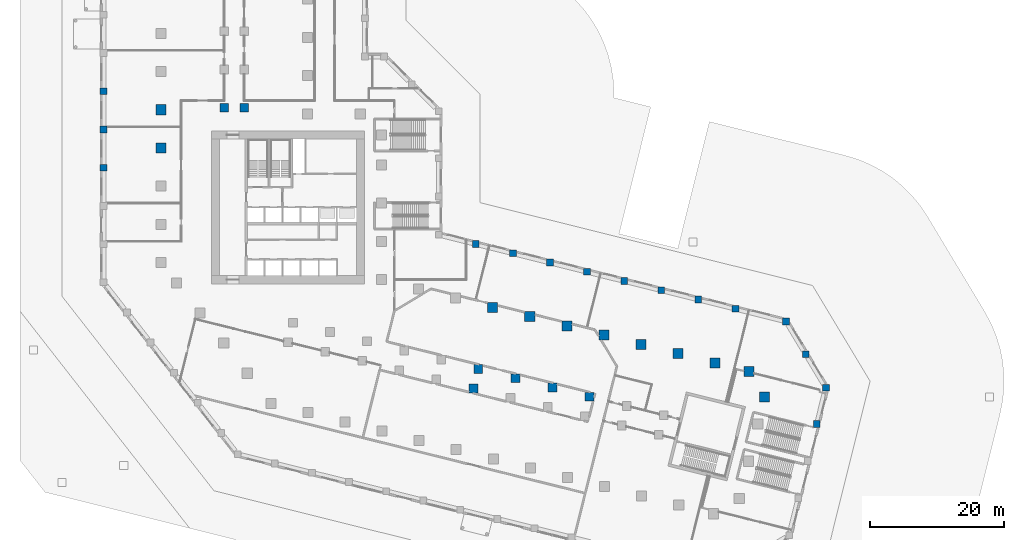
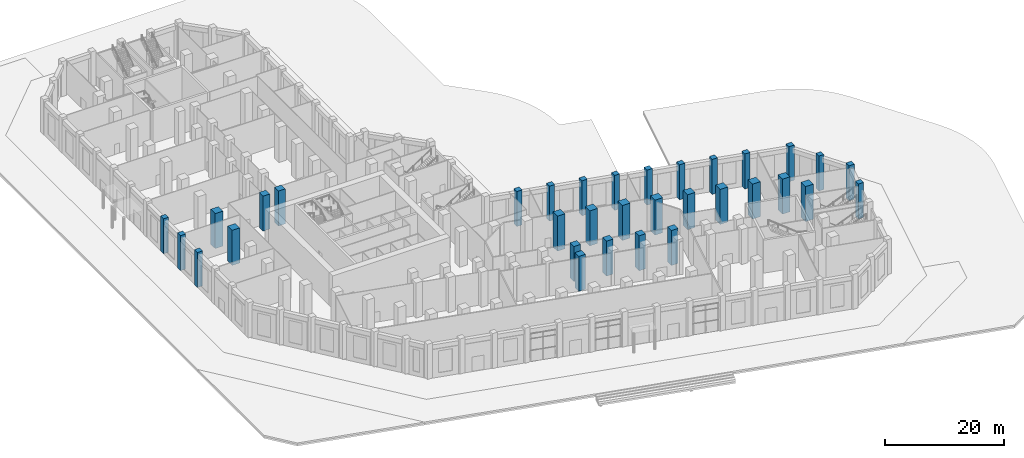
# One storey, part 3 of 27: 33 columns.
"""IFC4 building model written with IfcOpenShell, lengths in metres."""

import ifcopenshell
import ifcopenshell.guid

model = None  # the IFC model being written
_history = None  # IfcOwnerHistory: only IFC2X3 demands one
_inside = {}  # id of a spatial element -> (the spatial element, [elements in it])
_under = {}  # id of a project, library or spatial element -> (it, [spatial elements below it])
_declared = {}  # id of a project -> (the project, [libraries it declares])
_typed = {}  # id of a type object -> (the type object, [elements of that type])
_made_of = {}  # id of a material, layer set ... -> (it, [elements and type objects made of it])


def new_model(schema):
    """Start an empty IFC model of exactly this schema.

    Asked for "IFC4X3", IfcOpenShell would pick the latest addendum, in which some entities
    have other attributes; the version numbers below select the first issue.
    IFC2X3 requires an IfcOwnerHistory on every rooted entity: one is made here for all.
    """
    global model, _history
    if schema == "IFC4X3":
        model = ifcopenshell.file(schema_version=(4, 3, 0, 0))
    else:
        model = ifcopenshell.file(schema=schema)
    _inside.clear()
    _under.clear()
    _declared.clear()
    _typed.clear()
    _made_of.clear()
    _history = None
    if model.schema == "IFC2X3":
        org = make("IfcOrganization", Name="unknown")
        user = make(
            "IfcPersonAndOrganization",
            ThePerson=make("IfcPerson", FamilyName="unknown"),
            TheOrganization=org,
        )
        app = make(
            "IfcApplication",
            ApplicationDeveloper=org,
            Version="unknown",
            ApplicationFullName="unknown",
            ApplicationIdentifier="unknown",
        )
        _history = make(
            "IfcOwnerHistory",
            OwningUser=user,
            OwningApplication=app,
            ChangeAction="ADDED",
            CreationDate=0,
        )
    return model


def make(cls, **values):
    """One entity of the class cls with the attributes given. An attribute that is None is left unset."""
    return model.create_entity(
        cls, **{name: value for name, value in values.items() if value is not None}
    )


def rooted(cls, **values):
    """An entity with a GlobalId (a new one), such as an element, a storey or a relation."""
    return make(cls, GlobalId=ifcopenshell.guid.new(), OwnerHistory=_history, **values)


def si_unit(unit_type, name, prefix=None):
    """IfcSIUnit, for example si_unit("LENGTHUNIT", "METRE", prefix="MILLI")."""
    return make("IfcSIUnit", UnitType=unit_type, Prefix=prefix, Name=name)


def assignment(units):
    """IfcUnitAssignment: the units of a project."""
    return None if units is None else make("IfcUnitAssignment", Units=units)


def point(xyz):
    """IfcCartesianPoint."""
    return None if xyz is None else make("IfcCartesianPoint", Coordinates=xyz)


def direction(xyz):
    """IfcDirection."""
    return None if xyz is None else make("IfcDirection", DirectionRatios=xyz)


def frame(location, z_axis=None, x_axis=None):
    """IfcAxis2Placement3D, a coordinate frame: its origin and axes. An axis left out is left unset."""
    return make(
        "IfcAxis2Placement3D",
        Location=point(location),
        Axis=direction(z_axis),
        RefDirection=direction(x_axis),
    )


def frame_2d(location, x_axis=None):
    """IfcAxis2Placement2D, a coordinate frame in the plane: its origin and x axis."""
    return make(
        "IfcAxis2Placement2D", Location=point(location), RefDirection=direction(x_axis)
    )


def origin():
    """The frame at (0, 0, 0) with its axes left unset."""
    return frame((0.0, 0.0, 0.0))


def origin_2d():
    """The frame at (0, 0) in the plane with its x axis left unset."""
    return frame_2d((0.0, 0.0))


def place(relative_to, where):
    """IfcLocalPlacement: puts the frame where relative to a parent placement (None: the world)."""
    return make(
        "IfcLocalPlacement", PlacementRelTo=relative_to, RelativePlacement=where
    )


def context(
    kind, dimensions, precision=None, world=None, true_north=None, identifier=None
):
    """IfcGeometricRepresentationContext, for example the 3D "Model" context."""
    return make(
        "IfcGeometricRepresentationContext",
        ContextIdentifier=identifier,
        ContextType=kind,
        CoordinateSpaceDimension=dimensions,
        Precision=precision,
        WorldCoordinateSystem=world,
        TrueNorth=true_north,
    )


def subcontext(parent, identifier, kind, view, scale=None):
    """IfcGeometricRepresentationSubContext, for example "Body" below "Model"."""
    return make(
        "IfcGeometricRepresentationSubContext",
        ContextIdentifier=identifier,
        ContextType=kind,
        ParentContext=parent,
        TargetScale=scale,
        TargetView=view,
    )


def project(units=None, contexts=None):
    """IfcProject with its units and contexts."""
    return rooted(
        "IfcProject",
        Name="project",
        RepresentationContexts=contexts,
        UnitsInContext=assignment(units),
    )


def spatial(cls, under=None, at=None, **own):
    """A site, building, storey or space (cls), placed at a placement, below another one or the project."""
    s = rooted(cls, ObjectPlacement=at, **own)
    if under is not None:
        _under.setdefault(under.id(), (under, []))[1].append(s)
    return s


def profile(cls, at=None, kind="AREA", **sizes):
    """A parametric profile (cls). Its sizes go by their IFC names, for example OverallWidth=200.0."""
    return make(cls, ProfileType=kind, Position=at, **sizes)


def rectangle(**sizes):
    """IfcRectangleProfileDef."""
    return profile("IfcRectangleProfileDef", **sizes)


def extrude(swept, where, along, depth):
    """IfcExtrudedAreaSolid: the profile swept, set in the frame where, extruded along a direction by depth."""
    return make(
        "IfcExtrudedAreaSolid",
        SweptArea=swept,
        Position=where,
        ExtrudedDirection=direction(along),
        Depth=depth,
    )


def shape(context_of_items, identifier, shape_type, items):
    """IfcShapeRepresentation: the items that make up one representation, for example the "Body"."""
    return make(
        "IfcShapeRepresentation",
        ContextOfItems=context_of_items,
        RepresentationIdentifier=identifier,
        RepresentationType=shape_type,
        Items=items,
    )


def material(Name=None, Category=None):
    """IfcMaterial."""
    return make("IfcMaterial", Name=Name, Category=Category)


def material_profile(
    of_material, cross_section, Name=None, Category=None, Priority=None
):
    """IfcMaterialProfile: a cross section and its material."""
    return make(
        "IfcMaterialProfile",
        Name=Name,
        Material=of_material,
        Profile=cross_section,
        Priority=Priority,
        Category=Category,
    )


def profile_set(profiles, Name=None, composite=None):
    """IfcMaterialProfileSet."""
    return make(
        "IfcMaterialProfileSet",
        Name=Name,
        MaterialProfiles=profiles,
        CompositeProfile=composite,
    )


def made_of(thing, what):
    """Note that an element or type object is made of a material, layer set ...; save() writes the relation."""
    if what is not None:
        _made_of.setdefault(what.id(), (what, []))[1].append(thing)
    return thing


def type_object(cls, material=None, **own):
    """A type object (cls), such as IfcWallType, which elements share."""
    return made_of(rooted(cls, **own), material)


def element(
    cls,
    number,
    at=None,
    inside=None,
    cuts=None,
    type_object=None,
    material=None,
    context=None,
    identifier="Body",
    shape_type=None,
    held_by="IfcProductDefinitionShape",
    body=None,
    shapes=None,
    **own,
):
    """One element of the class cls, such as IfcWall. Its Tag is "e" and its number.

    at: its placement. inside: the storey or other place that contains it. cuts: it is an
    opening in that element (IfcRelVoidsElement). A single representation is given by context,
    identifier, shape_type and body (its items); several are given by shapes. held_by: the class
    of the entity that holds the representations. save() writes the other relations.
    """
    e = rooted(cls, Tag="e%d" % number, ObjectPlacement=at, **own)
    if body is not None:
        shapes = [shape(context, identifier, shape_type, body)]
    if shapes is not None:
        e.Representation = make(held_by, Representations=shapes)
    if inside is not None:
        _inside.setdefault(inside.id(), (inside, []))[1].append(e)
    if cuts is not None:
        rooted(
            "IfcRelVoidsElement", RelatingBuildingElement=cuts, RelatedOpeningElement=e
        )
    if type_object is not None:
        _typed.setdefault(type_object.id(), (type_object, []))[1].append(e)
    return made_of(e, material)


def aggregate(whole, parts):
    """IfcRelAggregates: a whole, such as a stair, and the parts it consists of."""
    return rooted("IfcRelAggregates", RelatingObject=whole, RelatedObjects=parts)


def save(model, path):
    """Write the relations noted so far, then the file.

    IfcRelAggregates (storeys below a building ...), IfcRelContainedInSpatialStructure (elements
    in a storey), IfcRelDefinesByType, IfcRelAssociatesMaterial and IfcRelDeclares: one each for
    every whole, place, type object, material and project.
    """
    for whole, parts in _under.values():
        aggregate(whole, parts)
    for where, things in _inside.values():
        rooted(
            "IfcRelContainedInSpatialStructure",
            RelatedElements=things,
            RelatingStructure=where,
        )
    for kind, things in _typed.values():
        rooted("IfcRelDefinesByType", RelatedObjects=things, RelatingType=kind)
    for what, things in _made_of.values():
        rooted("IfcRelAssociatesMaterial", RelatedObjects=things, RelatingMaterial=what)
    for by, libraries in _declared.values():
        rooted("IfcRelDeclares", RelatingContext=by, RelatedDefinitions=libraries)
    model.write(path)


model = new_model("IFC4")

# Units and contexts
model_context = context("Model", 3, precision=1e-05, world=origin(), true_north=direction((0.0, 1.0)))
body_context = subcontext(model_context, "Body", "Model", "MODEL_VIEW")
ifc_project = project(units=[si_unit("LENGTHUNIT", "METRE"), si_unit("AREAUNIT", "SQUARE_METRE"), si_unit("VOLUMEUNIT", "CUBIC_METRE"), si_unit("PLANEANGLEUNIT", "RADIAN"), si_unit("MASSUNIT", "GRAM", prefix="KILO")], contexts=[model_context])

# Site, building, storey
site_placement = place(None, origin())
site = spatial("IfcSite", under=ifc_project, at=site_placement, CompositionType="ELEMENT")
building_placement = place(site_placement, origin())
building = spatial("IfcBuilding", under=site, at=building_placement, Name="Meshkara Civic Tower", CompositionType="ELEMENT")
storey_placement = place(building_placement, origin())
storey = spatial("IfcBuildingStorey", under=building, at=storey_placement, Name="L00", CompositionType="ELEMENT", Elevation=0.0)

# Columns
ifc_material_1 = material(Name="Concrete C80", Category="concrete")
ifc_material_profile_1 = material_profile(ifc_material_1, rectangle(XDim=1.300048828125, YDim=1.300048828125, at=origin_2d()))
ifc_profile_set_1 = profile_set([ifc_material_profile_1], Name="Concrete C80")
column_type_1 = type_object("IfcColumnType", Name="Interior column RC 1300x1300 C80", PredefinedType="COLUMN", material=ifc_profile_set_1)
for number, where, z_axis, x_axis, name in (
    (1, (9.89990234375, 40.35009765625, 0.0), (0.0, 0.0, 1.0), (1.0, 0.0, 0.0), "Column SA1-04 L00"),
    (2, (12.89990234375, 40.35009765625, 0.0), (0.0, 0.0, 1.0), (1.0, 0.0, 0.0), "Column SA2-04 L00"),
    (3, (47.076904296875, -1.534912109375, 0.0), (0.0, 0.0, 1.0), (1.0, 0.0, 0.0), "Column SB1-05 L00"),
    (4, (47.802978515625, 1.3759765625, 0.0), (0.0, 0.0, 1.0), (1.0, 0.0, 0.0), "Column SB2-05 L00"),
    (5, (53.333984375, -0.0029296875, 0.0), (0.0, 0.0, 1.0), (1.0, 0.0, 0.0), "Column SB2-06 L00"),
    (6, (58.864013671875, -1.382080078125, 0.0), (0.0, 0.0, 1.0), (1.0, 0.0, 0.0), "Column SB2-07 L00"),
    (7, (64.39501953125, -2.760986328125, 0.0), (0.0, 0.0, 1.0), (1.0, 0.0, 0.0), "Column SB2-08 L00"),
):
    element("IfcColumn", number, at=place(storey_placement, frame(where, z_axis=z_axis, x_axis=x_axis)), inside=storey, type_object=column_type_1, Name=name, PredefinedType="COLUMN", context=body_context, shape_type="SweptSolid", body=[
        extrude(rectangle(XDim=1.300048828125, YDim=1.300048828125, at=origin_2d()), origin(), (0.0, 0.0, 1.0), 7.199951171875),
    ])
ifc_material_2 = material(Name="Concrete C80", Category="concrete")
ifc_material_profile_2 = material_profile(ifc_material_2, rectangle(XDim=1.5, YDim=1.5, at=origin_2d()))
ifc_profile_set_2 = profile_set([ifc_material_profile_2], Name="Concrete C80")
column_type_2 = type_object("IfcColumnType", Name="Perimeter column RC 1500x1500 C80", PredefinedType="COLUMN", material=ifc_profile_set_2)
for number, where, z_axis, x_axis, name in (
    (8, (0.449951171875, 34.35498046875, 0.0), (0.0, 0.0, 1.0), (1.0, 0.0, 0.0), "Column AW03 L00"),
    (9, (0.449951171875, 40.054931640625, 0.0), (0.0, 0.0, 1.0), (1.0, 0.0, 0.0), "Column AW04 L00"),
    (10, (90.485107421875, -2.779052734375, 0.0), (0.0, 0.0, 1.0), (1.0, 0.0, 0.0), "Column BTE L00"),
    (11, (88.18603515625, 1.0458984375, 0.0), (0.0, 0.0, 1.0), (1.0, 0.0, 0.0), "Column BTi00 L00"),
    (12, (49.94189453125, 10.58203125, 0.0), (0.0, 0.0, 1.0), (1.0, 0.0, 0.0), "Column BN03 L00"),
    (13, (55.472900390625, 9.202880859375, 0.0), (0.0, 0.0, 1.0), (1.0, 0.0, 0.0), "Column BN04 L00"),
    (14, (61.0029296875, 7.823974609375, 0.0), (0.0, 0.0, 1.0), (1.0, 0.0, 0.0), "Column BN05 L00"),
    (15, (66.533935546875, 6.445068359375, 0.0), (0.0, 0.0, 1.0), (1.0, 0.0, 0.0), "Column BN06 L00"),
    (16, (72.06494140625, 5.06591796875, 0.0), (0.0, 0.0, 1.0), (1.0, 0.0, 0.0), "Column BN07 L00"),
    (17, (77.594970703125, 3.68701171875, 0.0), (0.0, 0.0, 1.0), (1.0, 0.0, 0.0), "Column BN08 L00"),
    (18, (83.1259765625, 2.30810546875, 0.0), (0.0, 0.0, 1.0), (1.0, 0.0, 0.0), "Column BN09 L00"),
):
    element("IfcColumn", number, at=place(storey_placement, frame(where, z_axis=z_axis, x_axis=x_axis)), inside=storey, type_object=column_type_2, Name=name, PredefinedType="COLUMN", context=body_context, shape_type="SweptSolid", body=[
        extrude(rectangle(XDim=1.5, YDim=1.5, at=origin_2d()), origin(), (0.0, 0.0, 1.0), 7.199951171875),
    ])
ifc_material_3 = material(Name="Concrete C60", Category="concrete")
ifc_material_profile_3 = material_profile(ifc_material_3, rectangle(XDim=1.0, YDim=1.0, at=origin_2d()))
ifc_profile_set_3 = profile_set([ifc_material_profile_3], Name="Concrete C60")
column_type_3 = type_object("IfcColumnType", Name="Podium edge column RC 1000x1000 C60", PredefinedType="COLUMN", material=ifc_profile_set_3)
for number, where, z_axis, x_axis, name in (
    (19, (-8.10009765625, 31.410888671875, 0.0), (0.0, 0.0, 1.0), (1.0, 0.0, 0.0), "Column PD02-03 L00"),
    (20, (-8.10009765625, 37.111083984375, 0.0), (0.0, 0.0, 1.0), (1.0, 0.0, 0.0), "Column PD02-04 L00"),
    (21, (-8.10009765625, 42.81103515625, 0.0), (0.0, 0.0, 1.0), (1.0, 0.0, 0.0), "Column PD02-05 L00"),
    (22, (98.2900390625, -6.81591796875, 0.0), (0.0, 0.0, 1.0), (1.0, 0.0, 0.0), "Column PD06-03 L00"),
    (23, (99.637939453125, -1.410888671875, 0.0), (0.0, 0.0, 1.0), (1.0, 0.0, 0.0), "Column PD06-E L00"),
    (24, (93.68994140625, 8.485107421875, 0.0), (0.0, 0.0, 1.0), (1.0, 0.0, 0.0), "Column PD07-00 L00"),
    (25, (96.6259765625, 3.60009765625, 0.0), (0.0, 0.0, 1.0), (1.0, 0.0, 0.0), "Column PD07-01 L00"),
    (26, (47.430908203125, 20.02001953125, 0.0), (0.0, 0.0, 1.0), (1.0, 0.0, 0.0), "Column PD08-01 L00"),
    (27, (52.9609375, 18.64111328125, 0.0), (0.0, 0.0, 1.0), (1.0, 0.0, 0.0), "Column PD08-02 L00"),
    (28, (58.491943359375, 17.261962890625, 0.0), (0.0, 0.0, 1.0), (1.0, 0.0, 0.0), "Column PD08-03 L00"),
    (29, (64.02294921875, 15.883056640625, 0.0), (0.0, 0.0, 1.0), (1.0, 0.0, 0.0), "Column PD08-04 L00"),
    (30, (69.552978515625, 14.50390625, 0.0), (0.0, 0.0, 1.0), (1.0, 0.0, 0.0), "Column PD08-05 L00"),
    (31, (75.083984375, 13.1240234375, 0.0), (0.0, 0.0, 1.0), (1.0, 0.0, 0.0), "Column PD08-06 L00"),
    (32, (80.614990234375, 11.7451171875, 0.0), (0.0, 0.0, 1.0), (1.0, 0.0, 0.0), "Column PD08-07 L00"),
    (33, (86.14501953125, 10.365966796875, 0.0), (0.0, 0.0, 1.0), (1.0, 0.0, 0.0), "Column PD08-08 L00"),
):
    element("IfcColumn", number, at=place(storey_placement, frame(where, z_axis=z_axis, x_axis=x_axis)), inside=storey, type_object=column_type_3, Name=name, PredefinedType="COLUMN", context=body_context, shape_type="SweptSolid", body=[
        extrude(rectangle(XDim=1.0, YDim=1.0, at=origin_2d()), origin(), (0.0, 0.0, 1.0), 7.199951171875),
    ])

save(model, "model.ifc")
